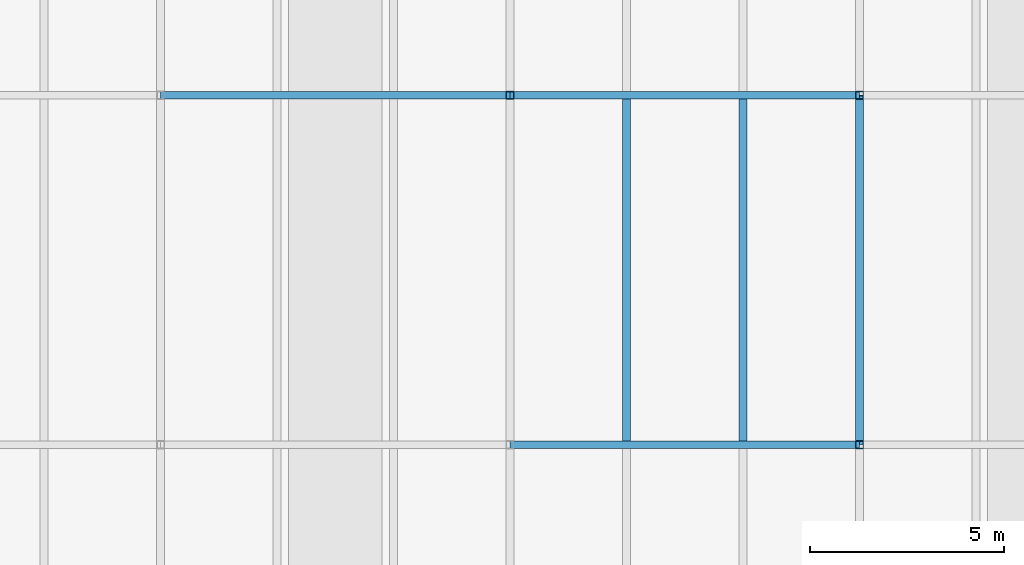
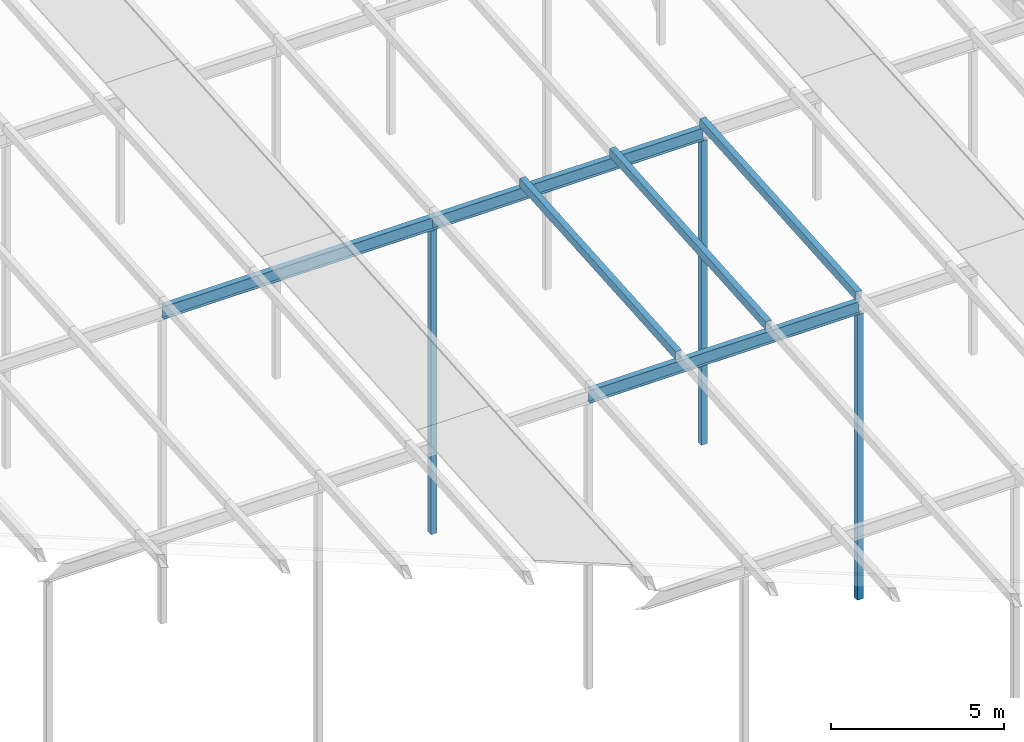
# One storey, part 19 of 84: 6 members, 3 beams.
"""IFC4 building model written with IfcOpenShell, lengths in metres."""

from ifc_helpers import new_model, si_unit, direction, frame, origin, origin_2d, place, context, subcontext, project, spatial, hollow_rectangle, i_section, extrude, material, material_profile, profile_set, type_object, element, save


model = new_model("IFC4")

# Units and contexts
model_context = context("Model", 3, precision=1e-05, world=origin(), true_north=direction((0.0, 1.0)))
body_context = subcontext(model_context, "Body", "Model", "MODEL_VIEW")
ifc_project = project(units=[si_unit("LENGTHUNIT", "METRE"), si_unit("AREAUNIT", "SQUARE_METRE"), si_unit("VOLUMEUNIT", "CUBIC_METRE"), si_unit("PLANEANGLEUNIT", "RADIAN"), si_unit("MASSUNIT", "GRAM", prefix="KILO")], contexts=[model_context])

# Site, building, storey
site_placement = place(None, origin())
site = spatial("IfcSite", under=ifc_project, at=site_placement, CompositionType="ELEMENT")
building_placement = place(site_placement, origin())
building = spatial("IfcBuilding", under=site, at=building_placement, Name="Silverbay Arena", CompositionType="ELEMENT")
storey_placement = place(building_placement, frame((0.0, 0.0, 47.10009765625)))
storey = spatial("IfcBuildingStorey", under=building, at=storey_placement, Name="ROOF", CompositionType="ELEMENT", Elevation=47.10009765625)

# Members
ifc_material_1 = material(Name="Steel S355", Category="steel")
ifc_material_profile_1 = material_profile(ifc_material_1, hollow_rectangle(XDim=0.199951171875, YDim=0.300048828125, WallThickness=0.00634765625, at=origin_2d()), Name="RHS 300x200x6.3")
ifc_profile_set_1 = profile_set([ifc_material_profile_1], Name="Steel S355")
member_type_1 = type_object("IfcMemberType", Name="Purlin RHS 300x200x6.3", PredefinedType="PURLIN", material=ifc_profile_set_1)
for number, where, z_axis, x_axis, name in (
    (1, (156.0, 45.0, 10.049560546875), (0.0, 0.997402911363, 0.072023832195), (-1.0, 0.0, 0.0), "ROOF PURLIN crown line 26 bay 03"),
    (2, (159.0, 45.0, 10.049560546875), (0.0, 0.997402911363, 0.072023832195), (-1.0, 0.0, 0.0), "ROOF PURLIN crown line 27 bay 03"),
    (3, (162.0, 45.0, 10.049560546875), (0.0, 0.997402911363, 0.072023832195), (-1.0, 0.0, 0.0), "ROOF PURLIN crown line 28 bay 03"),
):
    element("IfcMember", number, at=place(storey_placement, frame(where, z_axis=z_axis, x_axis=x_axis)), inside=storey, type_object=member_type_1, Name=name, PredefinedType="PURLIN", context=body_context, shape_type="SweptSolid", body=[
        extrude(hollow_rectangle(XDim=0.199951171875, YDim=0.300048828125, WallThickness=0.00634765625, at=origin_2d()), origin(), (0.0, 0.0, 1.0), 9.0234375),
    ])

# Beams
ifc_material_2 = material(Name="Steel S355", Category="steel")
ifc_material_profile_2 = material_profile(ifc_material_2, i_section(OverallWidth=0.18994140625, OverallDepth=0.453369140625, WebThickness=0.008544921875, FlangeThickness=0.0126953125, at=origin_2d()), Name="UB 457x191x67")
ifc_profile_set_2 = profile_set([ifc_material_profile_2], Name="Steel S355")
beam_type = type_object("IfcBeamType", Name="Ring beam UB 457x191x67", PredefinedType="BEAM", material=ifc_profile_set_2)
for number, where, z_axis, x_axis, name in (
    (4, (153.0, 45.0, 9.67236328125), (1.0, 0.0, 0.0), (0.0, 1.0, 0.0), "RING BEAM crown row 03 18-19"),
    (5, (144.0, 54.0, 10.322509765625), (1.0, 0.0, 0.0), (0.0, 1.0, 0.0), "RING BEAM crown row 04 17-18"),
    (6, (153.0, 54.0, 10.322509765625), (1.0, 0.0, 0.0), (0.0, 1.0, 0.0), "RING BEAM crown row 04 18-19"),
):
    element("IfcBeam", number, at=place(storey_placement, frame(where, z_axis=z_axis, x_axis=x_axis)), inside=storey, type_object=beam_type, Name=name, PredefinedType="BEAM", context=body_context, shape_type="SweptSolid", body=[
        extrude(i_section(OverallWidth=0.18994140625, OverallDepth=0.453369140625, WebThickness=0.008544921875, FlangeThickness=0.0126953125, at=origin_2d()), origin(), (0.0, 0.0, 1.0), 9.0),
    ])

# Members
ifc_material_3 = material(Name="Steel S355", Category="steel")
ifc_material_profile_3 = material_profile(ifc_material_3, hollow_rectangle(XDim=0.199951171875, YDim=0.199951171875, WallThickness=0.008056640625, at=origin_2d()), Name="SHS 200x200x8")
ifc_profile_set_3 = profile_set([ifc_material_profile_3], Name="Steel S355")
member_type_2 = type_object("IfcMemberType", Name="Roof post SHS 200x200x8", PredefinedType="POST", material=ifc_profile_set_3)
member_1_placement = place(storey_placement, frame((153.0, 54.0, -0.60009765625), z_axis=(0.0, 0.0, 1.0), x_axis=(1.0, 0.0, 0.0)))
element("IfcMember", 7, at=member_1_placement, inside=storey, type_object=member_type_2, Name="ROOF CROWN POST 18 row 04", PredefinedType="POST", context=body_context, shape_type="SweptSolid", body=[
    extrude(hollow_rectangle(XDim=0.199951171875, YDim=0.199951171875, WallThickness=0.008056640625, at=origin_2d()), origin(), (0.0, 0.0, 1.0), 10.69580078125),
])
member_2_placement = place(storey_placement, frame((162.0, 45.0, -0.60009765625), z_axis=(0.0, 0.0, 1.0), x_axis=(1.0, 0.0, 0.0)))
element("IfcMember", 8, at=member_2_placement, inside=storey, type_object=member_type_2, Name="ROOF CROWN POST 19 row 03", PredefinedType="POST", context=body_context, shape_type="SweptSolid", body=[
    extrude(hollow_rectangle(XDim=0.199951171875, YDim=0.199951171875, WallThickness=0.008056640625, at=origin_2d()), origin(), (0.0, 0.0, 1.0), 10.0458984375),
])
member_3_placement = place(storey_placement, frame((162.0, 54.0, -0.60009765625), z_axis=(0.0, 0.0, 1.0), x_axis=(1.0, 0.0, 0.0)))
element("IfcMember", 9, at=member_3_placement, inside=storey, type_object=member_type_2, Name="ROOF CROWN POST 19 row 04", PredefinedType="POST", context=body_context, shape_type="SweptSolid", body=[
    extrude(hollow_rectangle(XDim=0.199951171875, YDim=0.199951171875, WallThickness=0.008056640625, at=origin_2d()), origin(), (0.0, 0.0, 1.0), 10.69580078125),
])

save(model, "model.ifc")
